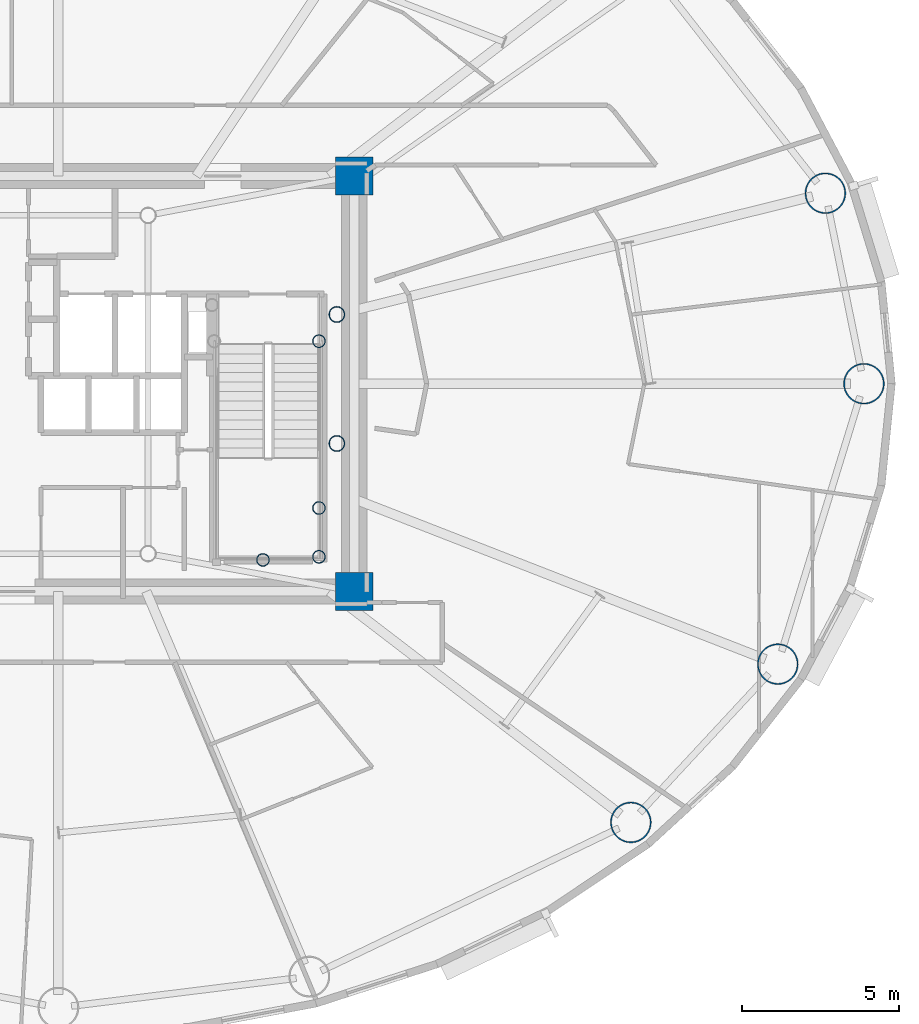
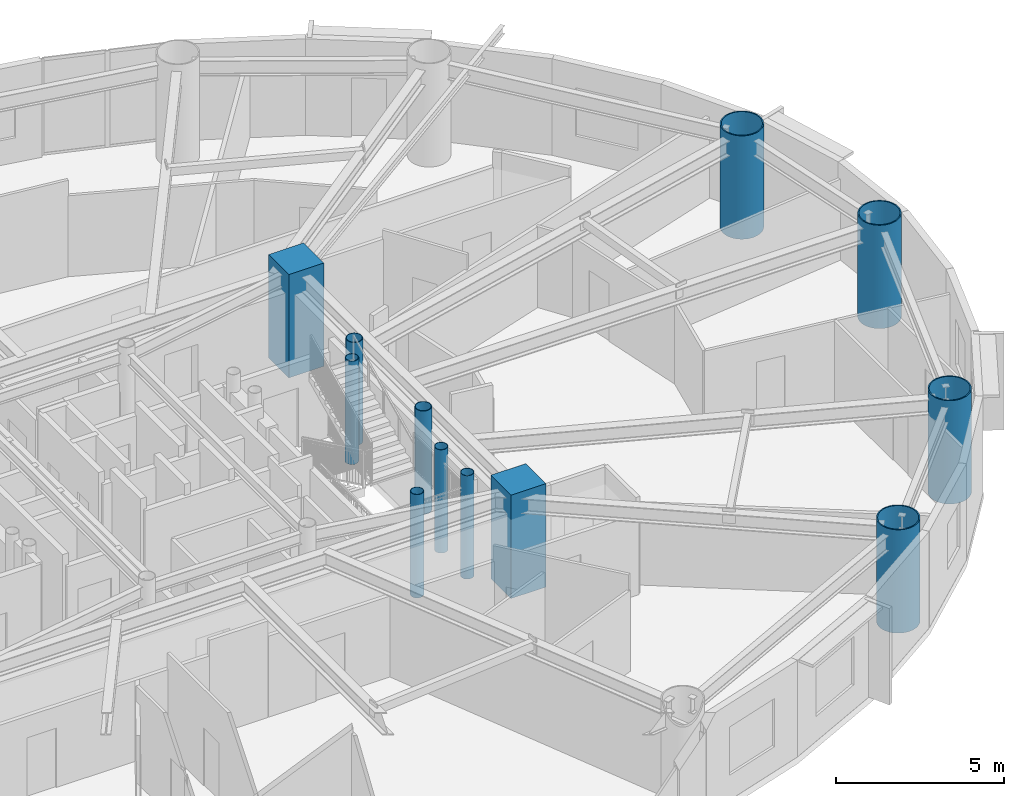
# One storey, part 2 of 21: 12 columns.
"""IFC4 building model written with IfcOpenShell, lengths in metres."""

from ifc_helpers import new_model, si_unit, direction, frame, origin, origin_2d, place, context, subcontext, project, spatial, rectangle, hollow_circle, extrude, material, material_profile, profile_set, type_object, element, save


model = new_model("IFC4")

# Units and contexts
model_context = context("Model", 3, precision=1e-05, world=origin(), true_north=direction((0.0, 1.0)))
body_context = subcontext(model_context, "Body", "Model", "MODEL_VIEW")
ifc_project = project(units=[si_unit("LENGTHUNIT", "METRE"), si_unit("AREAUNIT", "SQUARE_METRE"), si_unit("VOLUMEUNIT", "CUBIC_METRE"), si_unit("PLANEANGLEUNIT", "RADIAN"), si_unit("MASSUNIT", "GRAM", prefix="KILO")], contexts=[model_context])

# Site, building, storey
site_placement = place(None, origin())
site = spatial("IfcSite", under=ifc_project, at=site_placement, CompositionType="ELEMENT")
building_placement = place(site_placement, origin())
building = spatial("IfcBuilding", under=site, at=building_placement, Name="Linh Dai School and Residence Tower", CompositionType="ELEMENT")
storey_placement = place(building_placement, frame((0.0, 0.0, 156.14990234375)))
storey = spatial("IfcBuildingStorey", under=building, at=storey_placement, Name="L37", CompositionType="ELEMENT", Elevation=156.14990234375)

# Columns
ifc_material_1 = material(Name="Concrete B60 (C50/60)", Category="concrete")
ifc_material_profile_1 = material_profile(ifc_material_1, rectangle(XDim=1.199951171875, YDim=1.199951171875, at=origin_2d()), Name="RC 1200x1200")
ifc_profile_set_1 = profile_set([ifc_material_profile_1], Name="Concrete B60 (C50/60)")
column_type_1 = type_object("IfcColumnType", Name="COL-CC2", PredefinedType="COLUMN", material=ifc_profile_set_1)
for number, where, z_axis, x_axis, name in (
    (1, (45.39990234375, 20.39990234375, 0.0), (0.0, 0.0, 1.0), (1.0, 0.0, 0.0), "L37 Core Corner Pier CC2"),
    (2, (45.39990234375, 33.60009765625, 0.0), (0.0, 0.0, 1.0), (1.0, 0.0, 0.0), "L37 Core Corner Pier CC3"),
):
    element("IfcColumn", number, at=place(storey_placement, frame(where, z_axis=z_axis, x_axis=x_axis)), inside=storey, type_object=column_type_1, Name=name, PredefinedType="COLUMN", context=body_context, shape_type="SweptSolid", body=[
        extrude(rectangle(XDim=1.199951171875, YDim=1.199951171875, at=origin_2d()), origin(), (0.0, 0.0, 1.0), 3.75),
    ])
ifc_material_2 = material(Name="Structural Steel S355JR", Category="steel")
ifc_material_profile_2 = material_profile(ifc_material_2, hollow_circle(Radius=0.203125, WallThickness=0.01611328125, at=origin_2d()), Name="CHS 406.4x16")
ifc_profile_set_2 = profile_set([ifc_material_profile_2], Name="Structural Steel S355JR")
column_type_2 = type_object("IfcColumnType", Name="COL-EC", PredefinedType="COLUMN", material=ifc_profile_set_2)
for number, where, z_axis, x_axis, name in (
    (3, (44.280029296875, 21.5, 0.0), (0.0, 0.0, 1.0), (1.0, 0.0, 0.0), "L37 Stair Shaft Landing Support Pier ST2SE"),
    (4, (44.280029296875, 23.050048828125, 0.0), (0.0, 0.0, 1.0), (1.0, 0.0, 0.0), "L37 Stair Shaft Landing Support Pier ST2NE"),
    (5, (42.5, 21.39990234375, 0.0), (0.0, 0.0, 1.0), (1.0, 0.0, 0.0), "L37 Stair Shaft Landing Support Pier ST2MS"),
    (6, (44.280029296875, 28.35009765625, 0.0), (0.0, 0.0, 1.0), (1.0, 0.0, 0.0), "L37 Stair Shaft Landing Support Pier ST2N2"),
):
    element("IfcColumn", number, at=place(storey_placement, frame(where, z_axis=z_axis, x_axis=x_axis)), inside=storey, type_object=column_type_2, Name=name, PredefinedType="COLUMN", context=body_context, shape_type="SweptSolid", body=[
        extrude(hollow_circle(Radius=0.203125, WallThickness=0.01611328125, at=origin_2d()), origin(), (0.0, 0.0, 1.0), 3.75),
    ])
ifc_material_profile_3 = material_profile(ifc_material_2, hollow_circle(Radius=0.64990234375, WallThickness=0.0400390625, at=origin_2d()), Name="CHS 1300x40")
ifc_profile_set_3 = profile_set([ifc_material_profile_3], Name="Structural Steel S355JR")
column_type_3 = type_object("IfcColumnType", Name="COL-MC4", PredefinedType="COLUMN", material=ifc_profile_set_3)
for number, where, z_axis, x_axis, name in (
    (7, (61.60009765625, 27.0, 0.0), (0.0, 0.0, 1.0), (1.0, 0.0, 0.0), "L37 Perimeter CFT Mega-Column MC01"),
    (8, (60.37451171875, 33.053466796875, 0.0), (0.0, 0.0, 1.0), (1.0, 0.0, 0.0), "L37 Perimeter CFT Mega-Column MC02"),
    (9, (54.1923828125, 13.058349609375, 0.0), (0.0, 0.0, 1.0), (1.0, 0.0, 0.0), "L37 Perimeter CFT Mega-Column MC15"),
    (10, (58.862548828125, 18.0888671875, 0.0), (0.0, 0.0, 1.0), (1.0, 0.0, 0.0), "L37 Perimeter CFT Mega-Column MC16"),
):
    element("IfcColumn", number, at=place(storey_placement, frame(where, z_axis=z_axis, x_axis=x_axis)), inside=storey, type_object=column_type_3, Name=name, PredefinedType="COLUMN", context=body_context, shape_type="SweptSolid", body=[
        extrude(hollow_circle(Radius=0.64990234375, WallThickness=0.0400390625, at=origin_2d()), origin(), (0.0, 0.0, 1.0), 3.75),
    ])
ifc_material_profile_4 = material_profile(ifc_material_2, hollow_circle(Radius=0.25390625, WallThickness=0.02001953125, at=origin_2d()), Name="CHS 508x20")
ifc_profile_set_4 = profile_set([ifc_material_profile_4], Name="Structural Steel S355JR")
column_type_4 = type_object("IfcColumnType", Name="COL-MCP", PredefinedType="COLUMN", material=ifc_profile_set_4)
for number, where, z_axis, x_axis, name in (
    (11, (44.85009765625, 25.10009765625, 0.0), (0.0, 0.0, 1.0), (1.0, 0.0, 0.0), "L37 Sky-Lounge Core Anchor Pier S"),
    (12, (44.85009765625, 29.199951171875, 0.0), (0.0, 0.0, 1.0), (1.0, 0.0, 0.0), "L37 Sky-Lounge Core Anchor Pier N"),
):
    element("IfcColumn", number, at=place(storey_placement, frame(where, z_axis=z_axis, x_axis=x_axis)), inside=storey, type_object=column_type_4, Name=name, PredefinedType="COLUMN", context=body_context, shape_type="SweptSolid", body=[
        extrude(hollow_circle(Radius=0.25390625, WallThickness=0.02001953125, at=origin_2d()), origin(), (0.0, 0.0, 1.0), 3.75),
    ])

save(model, "model.ifc")
